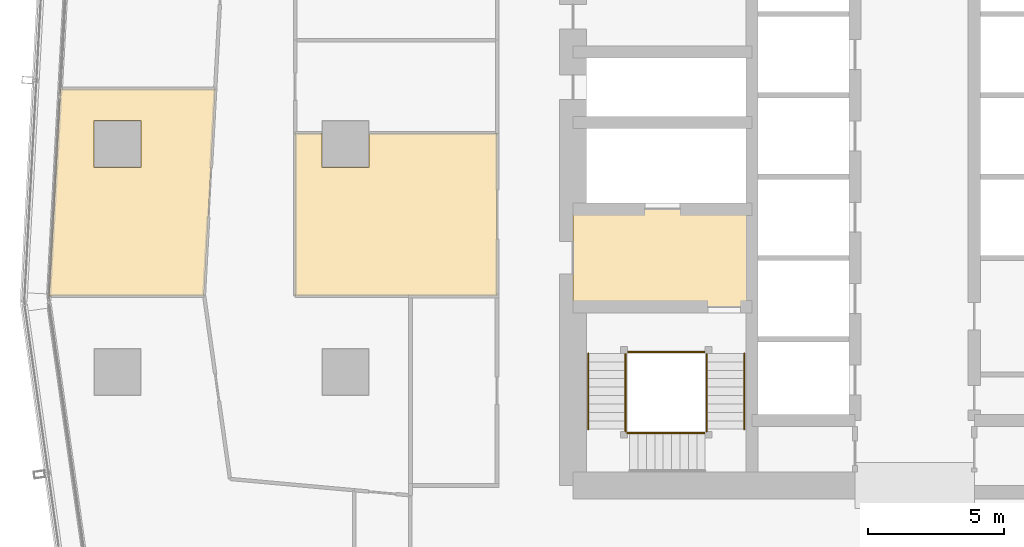
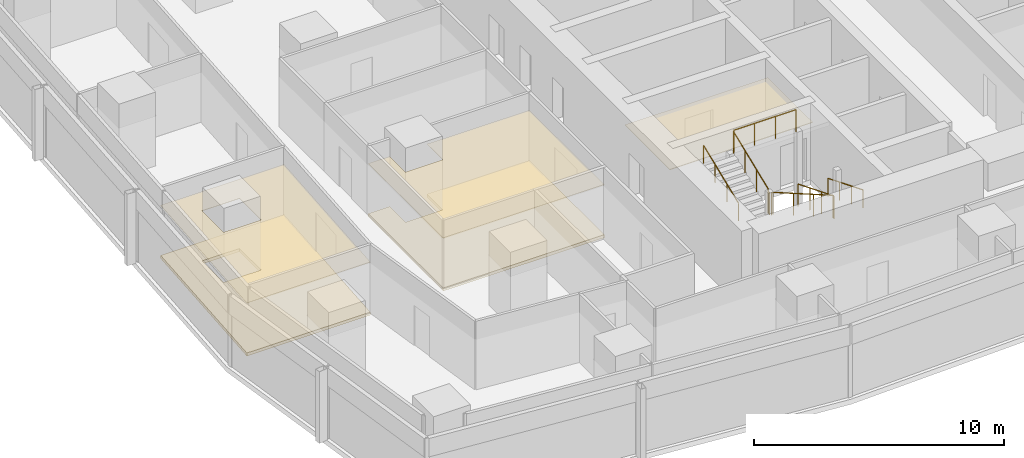
# One storey, part 34 of 40: 9 railings, 5 coverings.
"""IFC4 building model written with IfcOpenShell, lengths in metres."""

from ifc_helpers import new_model, si_unit, direction, frame, origin, origin_2d, place, context, subcontext, project, spatial, polyline, circle, outline, extrude, material, layer, layer_set, type_object, element, save


model = new_model("IFC4")

# Units and contexts
model_context = context("Model", 3, precision=1e-05, world=origin(), true_north=direction((0.0, 1.0)))
body_context = subcontext(model_context, "Body", "Model", "MODEL_VIEW")
ifc_project = project(units=[si_unit("LENGTHUNIT", "METRE"), si_unit("AREAUNIT", "SQUARE_METRE"), si_unit("VOLUMEUNIT", "CUBIC_METRE"), si_unit("PLANEANGLEUNIT", "RADIAN"), si_unit("MASSUNIT", "GRAM", prefix="KILO")], contexts=[model_context])

# Site, building, storey
site_placement = place(None, origin())
site = spatial("IfcSite", under=ifc_project, at=site_placement, CompositionType="ELEMENT")
building_placement = place(site_placement, origin())
building = spatial("IfcBuilding", under=site, at=building_placement, Name="Rekha Terrace Tower", CompositionType="ELEMENT")
storey_placement = place(building_placement, frame((0.0, 0.0, 140.300048828125)))
storey = spatial("IfcBuildingStorey", under=building, at=storey_placement, Name="L35", CompositionType="ELEMENT", Elevation=140.300048828125)

# Coverings
ifc_material_1 = material(Name="Mineral fibre tile in exposed grid", Category="finish")
ifc_layer_1 = layer(ifc_material_1, 0.02001953125)
ifc_layer_set_1 = layer_set([ifc_layer_1], Name="Mineral fibre tile in exposed grid")
covering_type_1 = type_object("IfcCoveringType", Name="CL1 600x1200 office grid ceiling", PredefinedType="CEILING", material=ifc_layer_set_1)
covering_1_placement = place(storey_placement, frame((0.0, 0.0, 2.579833984375)))
element("IfcCovering", 1, at=covering_1_placement, inside=storey, type_object=covering_type_1, Name="Ceiling L35-18", PredefinedType="CEILING", context=body_context, shape_type="SweptSolid", body=[
    extrude(outline(polyline([(5.8740234375, 28.0), (11.5830078125, 28.0), (12.0009765625, 35.634033203125), (6.29296875, 35.634033203125), (5.8740234375, 28.0)]), holes=[polyline([(9.264892578125, 32.735107421875), (7.534912109375, 32.735107421875), (7.534912109375, 34.465087890625), (9.264892578125, 34.465087890625), (9.264892578125, 32.735107421875)])]), origin(), (0.0, 0.0, 1.0), 0.02001953125),
])
covering_2_placement = place(storey_placement, frame((0.0, 0.0, 2.579833984375)))
element("IfcCovering", 2, at=covering_2_placement, inside=storey, type_object=covering_type_1, Name="Ceiling L35-22", PredefinedType="CEILING", context=body_context, shape_type="SweptSolid", body=[
    extrude(outline(polyline([(15.93505859375, 34.0), (14.949951171875, 34.0), (14.949951171875, 28.0), (22.39990234375, 28.0), (22.39990234375, 34.0), (17.6650390625, 34.0), (17.6650390625, 32.735107421875), (15.93505859375, 32.735107421875), (15.93505859375, 34.0)])), origin(), (0.0, 0.0, 1.0), 0.02001953125),
])
ifc_material_2 = material(Name="Powder-coated aluminium pan", Category="aluminium")
ifc_layer_2 = layer(ifc_material_2, 0.030029296875)
ifc_layer_set_2 = layer_set([ifc_layer_2], Name="Powder-coated aluminium pan")
covering_type_2 = type_object("IfcCoveringType", Name="CL3 300x1200 metal pan ceiling", PredefinedType="CEILING", material=ifc_layer_set_2)
covering_3_placement = place(storey_placement, frame((0.0, 0.0, 2.570068359375)))
element("IfcCovering", 3, at=covering_3_placement, inside=storey, type_object=covering_type_2, Name="Ceiling L35-FLB1", PredefinedType="CEILING", context=body_context, shape_type="SweptSolid", body=[
    extrude(outline(polyline([(31.800048828125, 31.199951171875), (25.199951171875, 31.199951171875), (25.199951171875, 27.60009765625), (31.800048828125, 27.60009765625), (31.800048828125, 31.199951171875)])), origin(), (0.0, 0.0, 1.0), 0.02978515625),
])

# Railings
ifc_material_3 = material(Name="Stainless steel balustrade", Category="steel")
railing_type_1 = type_object("IfcRailingType", Name="GR1 1100 stair guard", PredefinedType="GUARDRAIL", material=ifc_material_3)
railing_1_placement = place(storey_placement, frame((30.135009765625, 25.875, 0.125)))
element("IfcRailing", 4, at=railing_1_placement, inside=storey, type_object=railing_type_1, Name="Guard ST1 L35 flight 1", PredefinedType="GUARDRAIL", context=body_context, shape_type="SweptSolid", body=[
    extrude(circle(Radius=0.02392578125, at=origin_2d()), frame((0.0, 0.0, 1.076171875), z_axis=(0.0, -0.927443287984, 0.373963831907), x_axis=(1.0, 0.0, 0.0)), (0.0, 0.0, 1.0), 3.00830078125),
    extrude(circle(Radius=0.02099609375, at=origin_2d()), origin(), (0.0, 0.0, 1.0), 1.052001953125),
    extrude(circle(Radius=0.02099609375, at=origin_2d()), frame((0.0, -0.929931640625, 0.375)), (0.0, 0.0, 1.0), 1.052001953125),
    extrude(circle(Radius=0.02099609375, at=origin_2d()), frame((0.0, -1.860107421875, 0.75)), (0.0, 0.0, 1.0), 1.052001953125),
    extrude(circle(Radius=0.02099609375, at=origin_2d()), frame((0.0, -2.7900390625, 1.125)), (0.0, 0.0, 1.0), 1.052001953125),
])
railing_2_placement = place(storey_placement, frame((30.074951171875, 22.93994140625, 1.375)))
element("IfcRailing", 5, at=railing_2_placement, inside=storey, type_object=railing_type_1, Name="Guard ST1 L35 flight 2", PredefinedType="GUARDRAIL", context=body_context, shape_type="SweptSolid", body=[
    extrude(circle(Radius=0.02392578125, at=origin_2d()), frame((0.0, 0.0, 1.076171875), z_axis=(-0.927443287984, 0.0, 0.373963831907), x_axis=(0.0, -1.0, 0.0)), (0.0, 0.0, 1.0), 3.00830078125),
    extrude(circle(Radius=0.02099609375, at=origin_2d()), origin(), (0.0, 0.0, 1.0), 1.052001953125),
    extrude(circle(Radius=0.02099609375, at=origin_2d()), frame((-0.929931640625, 0.0, 0.375)), (0.0, 0.0, 1.0), 1.052001953125),
    extrude(circle(Radius=0.02099609375, at=origin_2d()), frame((-1.860107421875, 0.0, 0.75)), (0.0, 0.0, 1.0), 1.052001953125),
    extrude(circle(Radius=0.02099609375, at=origin_2d()), frame((-2.7900390625, 0.0, 1.125)), (0.0, 0.0, 1.0), 1.052001953125),
])
railing_3_placement = place(storey_placement, frame((27.139892578125, 23.0849609375, 2.625)))
element("IfcRailing", 6, at=railing_3_placement, inside=storey, type_object=railing_type_1, Name="Guard ST1 L35 flight 3", PredefinedType="GUARDRAIL", context=body_context, shape_type="SweptSolid", body=[
    extrude(circle(Radius=0.02392578125, at=origin_2d()), frame((0.0, 0.0, 1.076171875), z_axis=(0.0, 0.927443287984, 0.373963831907), x_axis=(-1.0, 0.0, 0.0)), (0.0, 0.0, 1.0), 3.00830078125),
    extrude(circle(Radius=0.02099609375, at=origin_2d()), origin(), (0.0, 0.0, 1.0), 1.052001953125),
    extrude(circle(Radius=0.02099609375, at=origin_2d()), frame((0.0, 0.929931640625, 0.375)), (0.0, 0.0, 1.0), 1.052001953125),
    extrude(circle(Radius=0.02099609375, at=origin_2d()), frame((0.0, 1.860107421875, 0.75)), (0.0, 0.0, 1.0), 1.052001953125),
    extrude(circle(Radius=0.02099609375, at=origin_2d()), frame((0.0, 2.7900390625, 1.125)), (0.0, 0.0, 1.0), 1.052001953125),
])
railing_4_placement = place(storey_placement, frame((30.135009765625, 23.0849609375, 1.25)))
element("IfcRailing", 7, at=railing_4_placement, inside=storey, type_object=railing_type_1, Name="Guard ST1 L35 landing 1", PredefinedType="GUARDRAIL", context=body_context, shape_type="SweptSolid", body=[
    extrude(circle(Radius=0.02392578125, at=origin_2d()), frame((0.0, 0.0, 1.076171875), z_axis=(0.0, -1.0, 0.0), x_axis=(1.0, 0.0, 0.0)), (0.0, 0.0, 1.0), 0.0849609375),
    extrude(circle(Radius=0.02099609375, at=origin_2d()), origin(), (0.0, 0.0, 1.0), 1.052001953125),
    extrude(circle(Radius=0.02099609375, at=origin_2d()), frame((0.0, -0.0849609375, 0.0)), (0.0, 0.0, 1.0), 1.052001953125),
])
railing_5_placement = place(storey_placement, frame((27.284912109375, 22.93994140625, 2.5)))
element("IfcRailing", 8, at=railing_5_placement, inside=storey, type_object=railing_type_1, Name="Guard ST1 L35 landing 2", PredefinedType="GUARDRAIL", context=body_context, shape_type="SweptSolid", body=[
    extrude(circle(Radius=0.02392578125, at=origin_2d()), frame((0.0, 0.0, 1.076171875), z_axis=(-1.0, 0.0, 0.0), x_axis=(0.0, -1.0, 0.0)), (0.0, 0.0, 1.0), 0.0849609375),
    extrude(circle(Radius=0.02099609375, at=origin_2d()), origin(), (0.0, 0.0, 1.0), 1.052001953125),
    extrude(circle(Radius=0.02099609375, at=origin_2d()), frame((-0.0849609375, 0.0, 0.0)), (0.0, 0.0, 1.0), 1.052001953125),
])
railing_6_placement = place(storey_placement, frame((27.139892578125, 23.0849609375, 2.5)))
element("IfcRailing", 9, at=railing_6_placement, inside=storey, type_object=railing_type_1, Name="Guard ST1 L35 landing 3", PredefinedType="GUARDRAIL", context=body_context, shape_type="SweptSolid", body=[
    extrude(circle(Radius=0.02392578125, at=origin_2d()), frame((0.0, 0.0, 1.076171875), z_axis=(0.0, -1.0, 0.0), x_axis=(1.0, 0.0, 0.0)), (0.0, 0.0, 1.0), 0.0849609375),
    extrude(circle(Radius=0.02099609375, at=origin_2d()), origin(), (0.0, 0.0, 1.0), 1.052001953125),
    extrude(circle(Radius=0.02099609375, at=origin_2d()), frame((0.0, -0.0849609375, 0.0)), (0.0, 0.0, 1.0), 1.052001953125),
])
railing_7_placement = place(storey_placement, frame((30.074951171875, 25.93505859375, 3.75)))
element("IfcRailing", 10, at=railing_7_placement, inside=storey, type_object=railing_type_1, Name="Guard ST1 L35 landing 4", PredefinedType="GUARDRAIL", context=body_context, shape_type="SweptSolid", body=[
    extrude(circle(Radius=0.02392578125, at=origin_2d()), frame((0.0, 0.0, 1.076171875), z_axis=(-1.0, 0.0, 0.0), x_axis=(0.0, -1.0, 0.0)), (0.0, 0.0, 1.0), 2.875),
    extrude(circle(Radius=0.02099609375, at=origin_2d()), origin(), (0.0, 0.0, 1.0), 1.052001953125),
    extrude(circle(Radius=0.02099609375, at=origin_2d()), frame((-0.958251953125, 0.0, 0.0)), (0.0, 0.0, 1.0), 1.052001953125),
    extrude(circle(Radius=0.02099609375, at=origin_2d()), frame((-1.916748046875, 0.0, 0.0)), (0.0, 0.0, 1.0), 1.052001953125),
    extrude(circle(Radius=0.02099609375, at=origin_2d()), frame((-2.875, 0.0, 0.0)), (0.0, 0.0, 1.0), 1.052001953125),
])
ifc_material_4 = material(Name="Stainless steel tube", Category="steel")
railing_type_2 = type_object("IfcRailingType", Name="HR1 900 stair handrail", PredefinedType="HANDRAIL", material=ifc_material_4)
railing_8_placement = place(storey_placement, frame((31.514892578125, 25.875, 0.125)))
element("IfcRailing", 11, at=railing_8_placement, inside=storey, type_object=railing_type_2, Name="Handrail ST1 L35 flight 1", PredefinedType="HANDRAIL", context=body_context, shape_type="SweptSolid", body=[
    extrude(circle(Radius=0.02392578125, at=origin_2d()), frame((0.0, 0.0, 0.8759765625), z_axis=(0.0, -0.927443287984, 0.373963831907), x_axis=(1.0, 0.0, 0.0)), (0.0, 0.0, 1.0), 3.00830078125),
    extrude(circle(Radius=0.02099609375, at=origin_2d()), origin(), (0.0, 0.0, 1.0), 0.851806640625),
    extrude(circle(Radius=0.02099609375, at=origin_2d()), frame((0.0, -0.929931640625, 0.375)), (0.0, 0.0, 1.0), 0.851806640625),
    extrude(circle(Radius=0.02099609375, at=origin_2d()), frame((0.0, -1.860107421875, 0.75)), (0.0, 0.0, 1.0), 0.851806640625),
    extrude(circle(Radius=0.02099609375, at=origin_2d()), frame((0.0, -2.7900390625, 1.125)), (0.0, 0.0, 1.0), 0.851806640625),
])
railing_9_placement = place(storey_placement, frame((25.760009765625, 23.0849609375, 2.625)))
element("IfcRailing", 12, at=railing_9_placement, inside=storey, type_object=railing_type_2, Name="Handrail ST1 L35 flight 3", PredefinedType="HANDRAIL", context=body_context, shape_type="SweptSolid", body=[
    extrude(circle(Radius=0.02392578125, at=origin_2d()), frame((0.0, 0.0, 0.8759765625), z_axis=(0.0, 0.927443287984, 0.373963831907), x_axis=(-1.0, 0.0, 0.0)), (0.0, 0.0, 1.0), 3.00830078125),
    extrude(circle(Radius=0.02099609375, at=origin_2d()), origin(), (0.0, 0.0, 1.0), 0.851806640625),
    extrude(circle(Radius=0.02099609375, at=origin_2d()), frame((0.0, 0.929931640625, 0.375)), (0.0, 0.0, 1.0), 0.851806640625),
    extrude(circle(Radius=0.02099609375, at=origin_2d()), frame((0.0, 1.860107421875, 0.75)), (0.0, 0.0, 1.0), 0.851806640625),
    extrude(circle(Radius=0.02099609375, at=origin_2d()), frame((0.0, 2.7900390625, 1.125)), (0.0, 0.0, 1.0), 0.851806640625),
])

# Coverings
ifc_material_5 = material(Name="Calcium sulphate panels on steel pedestals", Category="steel")
ifc_layer_3 = layer(ifc_material_5, 0.14990234375)
ifc_layer_set_3 = layer_set([ifc_layer_3], Name="Calcium sulphate panels on steel pedestals")
covering_type_3 = type_object("IfcCoveringType", Name="RF1 150 raised access floor", PredefinedType="FLOORING", material=ifc_layer_set_3)
covering_4_placement = place(storey_placement, origin())
element("IfcCovering", 13, at=covering_4_placement, inside=storey, type_object=covering_type_3, Name="Raised floor L35-18", PredefinedType="FLOORING", context=body_context, shape_type="SweptSolid", body=[
    extrude(outline(polyline([(5.8740234375, 28.0), (11.5830078125, 28.0), (12.0009765625, 35.634033203125), (6.29296875, 35.634033203125), (5.8740234375, 28.0)]), holes=[polyline([(9.264892578125, 32.735107421875), (7.534912109375, 32.735107421875), (7.534912109375, 34.465087890625), (9.264892578125, 34.465087890625), (9.264892578125, 32.735107421875)])]), origin(), (0.0, 0.0, 1.0), 0.14990234375),
])
covering_5_placement = place(storey_placement, origin())
element("IfcCovering", 14, at=covering_5_placement, inside=storey, type_object=covering_type_3, Name="Raised floor L35-22", PredefinedType="FLOORING", context=body_context, shape_type="SweptSolid", body=[
    extrude(outline(polyline([(15.93505859375, 34.0), (14.949951171875, 34.0), (14.949951171875, 28.0), (22.39990234375, 28.0), (22.39990234375, 34.0), (17.6650390625, 34.0), (17.6650390625, 32.735107421875), (15.93505859375, 32.735107421875), (15.93505859375, 34.0)])), origin(), (0.0, 0.0, 1.0), 0.14990234375),
])

save(model, "model.ifc")
